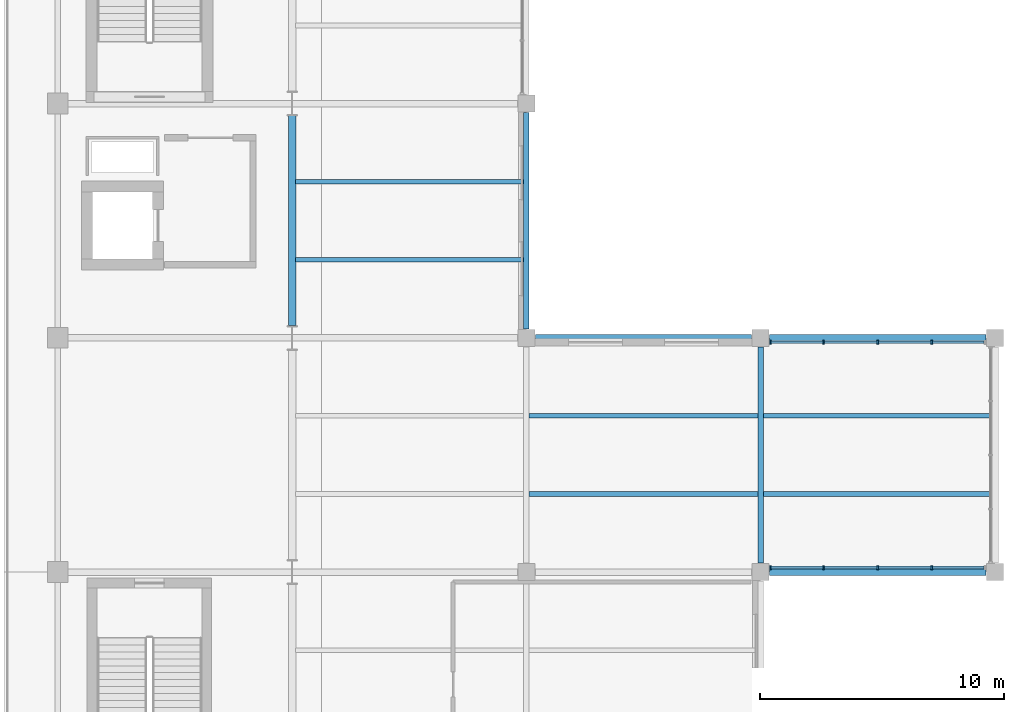
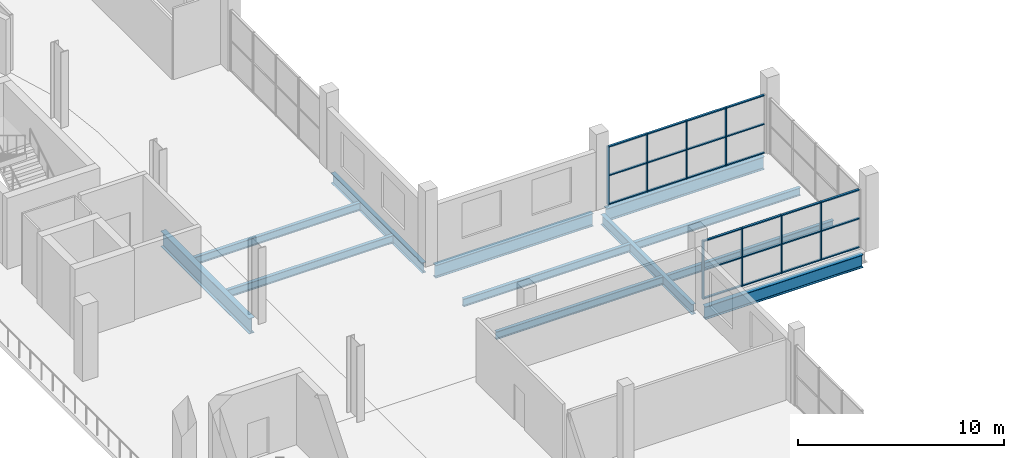
# One storey, part 31 of 92: 32 members, 12 beams, 2 elements without a shape of their own.
"""IFC4 building model written with IfcOpenShell, lengths in metres."""

import ifcopenshell
import ifcopenshell.guid

model = None  # the IFC model being written
_history = None  # IfcOwnerHistory: only IFC2X3 demands one
_inside = {}  # id of a spatial element -> (the spatial element, [elements in it])
_under = {}  # id of a project, library or spatial element -> (it, [spatial elements below it])
_declared = {}  # id of a project -> (the project, [libraries it declares])
_typed = {}  # id of a type object -> (the type object, [elements of that type])
_made_of = {}  # id of a material, layer set ... -> (it, [elements and type objects made of it])


def new_model(schema):
    """Start an empty IFC model of exactly this schema.

    Asked for "IFC4X3", IfcOpenShell would pick the latest addendum, in which some entities
    have other attributes; the version numbers below select the first issue.
    IFC2X3 requires an IfcOwnerHistory on every rooted entity: one is made here for all.
    """
    global model, _history
    if schema == "IFC4X3":
        model = ifcopenshell.file(schema_version=(4, 3, 0, 0))
    else:
        model = ifcopenshell.file(schema=schema)
    _inside.clear()
    _under.clear()
    _declared.clear()
    _typed.clear()
    _made_of.clear()
    _history = None
    if model.schema == "IFC2X3":
        org = make("IfcOrganization", Name="unknown")
        user = make(
            "IfcPersonAndOrganization",
            ThePerson=make("IfcPerson", FamilyName="unknown"),
            TheOrganization=org,
        )
        app = make(
            "IfcApplication",
            ApplicationDeveloper=org,
            Version="unknown",
            ApplicationFullName="unknown",
            ApplicationIdentifier="unknown",
        )
        _history = make(
            "IfcOwnerHistory",
            OwningUser=user,
            OwningApplication=app,
            ChangeAction="ADDED",
            CreationDate=0,
        )
    return model


def make(cls, **values):
    """One entity of the class cls with the attributes given. An attribute that is None is left unset."""
    return model.create_entity(
        cls, **{name: value for name, value in values.items() if value is not None}
    )


def rooted(cls, **values):
    """An entity with a GlobalId (a new one), such as an element, a storey or a relation."""
    return make(cls, GlobalId=ifcopenshell.guid.new(), OwnerHistory=_history, **values)


def si_unit(unit_type, name, prefix=None):
    """IfcSIUnit, for example si_unit("LENGTHUNIT", "METRE", prefix="MILLI")."""
    return make("IfcSIUnit", UnitType=unit_type, Prefix=prefix, Name=name)


def assignment(units):
    """IfcUnitAssignment: the units of a project."""
    return None if units is None else make("IfcUnitAssignment", Units=units)


def point(xyz):
    """IfcCartesianPoint."""
    return None if xyz is None else make("IfcCartesianPoint", Coordinates=xyz)


def direction(xyz):
    """IfcDirection."""
    return None if xyz is None else make("IfcDirection", DirectionRatios=xyz)


def frame(location, z_axis=None, x_axis=None):
    """IfcAxis2Placement3D, a coordinate frame: its origin and axes. An axis left out is left unset."""
    return make(
        "IfcAxis2Placement3D",
        Location=point(location),
        Axis=direction(z_axis),
        RefDirection=direction(x_axis),
    )


def frame_2d(location, x_axis=None):
    """IfcAxis2Placement2D, a coordinate frame in the plane: its origin and x axis."""
    return make(
        "IfcAxis2Placement2D", Location=point(location), RefDirection=direction(x_axis)
    )


def origin():
    """The frame at (0, 0, 0) with its axes left unset."""
    return frame((0.0, 0.0, 0.0))


def origin_2d():
    """The frame at (0, 0) in the plane with its x axis left unset."""
    return frame_2d((0.0, 0.0))


def place(relative_to, where):
    """IfcLocalPlacement: puts the frame where relative to a parent placement (None: the world)."""
    return make(
        "IfcLocalPlacement", PlacementRelTo=relative_to, RelativePlacement=where
    )


def context(
    kind, dimensions, precision=None, world=None, true_north=None, identifier=None
):
    """IfcGeometricRepresentationContext, for example the 3D "Model" context."""
    return make(
        "IfcGeometricRepresentationContext",
        ContextIdentifier=identifier,
        ContextType=kind,
        CoordinateSpaceDimension=dimensions,
        Precision=precision,
        WorldCoordinateSystem=world,
        TrueNorth=true_north,
    )


def subcontext(parent, identifier, kind, view, scale=None):
    """IfcGeometricRepresentationSubContext, for example "Body" below "Model"."""
    return make(
        "IfcGeometricRepresentationSubContext",
        ContextIdentifier=identifier,
        ContextType=kind,
        ParentContext=parent,
        TargetScale=scale,
        TargetView=view,
    )


def project(units=None, contexts=None):
    """IfcProject with its units and contexts."""
    return rooted(
        "IfcProject",
        Name="project",
        RepresentationContexts=contexts,
        UnitsInContext=assignment(units),
    )


def spatial(cls, under=None, at=None, **own):
    """A site, building, storey or space (cls), placed at a placement, below another one or the project."""
    s = rooted(cls, ObjectPlacement=at, **own)
    if under is not None:
        _under.setdefault(under.id(), (under, []))[1].append(s)
    return s


def profile(cls, at=None, kind="AREA", **sizes):
    """A parametric profile (cls). Its sizes go by their IFC names, for example OverallWidth=200.0."""
    return make(cls, ProfileType=kind, Position=at, **sizes)


def rectangle(**sizes):
    """IfcRectangleProfileDef."""
    return profile("IfcRectangleProfileDef", **sizes)


def i_section(**sizes):
    """IfcIShapeProfileDef."""
    return profile("IfcIShapeProfileDef", **sizes)


def extrude(swept, where, along, depth):
    """IfcExtrudedAreaSolid: the profile swept, set in the frame where, extruded along a direction by depth."""
    return make(
        "IfcExtrudedAreaSolid",
        SweptArea=swept,
        Position=where,
        ExtrudedDirection=direction(along),
        Depth=depth,
    )


def shape(context_of_items, identifier, shape_type, items):
    """IfcShapeRepresentation: the items that make up one representation, for example the "Body"."""
    return make(
        "IfcShapeRepresentation",
        ContextOfItems=context_of_items,
        RepresentationIdentifier=identifier,
        RepresentationType=shape_type,
        Items=items,
    )


def material(Name=None, Category=None):
    """IfcMaterial."""
    return make("IfcMaterial", Name=Name, Category=Category)


def layer(
    of_material, thickness, ventilated=None, Name=None, Category=None, Priority=None
):
    """IfcMaterialLayer: one layer of a wall or slab, of a material (None: an air gap)."""
    return make(
        "IfcMaterialLayer",
        Material=of_material,
        LayerThickness=thickness,
        IsVentilated=ventilated,
        Name=Name,
        Category=Category,
        Priority=Priority,
    )


def layer_set(layers, Name=None):
    """IfcMaterialLayerSet."""
    return make("IfcMaterialLayerSet", MaterialLayers=layers, LayerSetName=Name)


def material_profile(
    of_material, cross_section, Name=None, Category=None, Priority=None
):
    """IfcMaterialProfile: a cross section and its material."""
    return make(
        "IfcMaterialProfile",
        Name=Name,
        Material=of_material,
        Profile=cross_section,
        Priority=Priority,
        Category=Category,
    )


def profile_set(profiles, Name=None, composite=None):
    """IfcMaterialProfileSet."""
    return make(
        "IfcMaterialProfileSet",
        Name=Name,
        MaterialProfiles=profiles,
        CompositeProfile=composite,
    )


def made_of(thing, what):
    """Note that an element or type object is made of a material, layer set ...; save() writes the relation."""
    if what is not None:
        _made_of.setdefault(what.id(), (what, []))[1].append(thing)
    return thing


def type_object(cls, material=None, **own):
    """A type object (cls), such as IfcWallType, which elements share."""
    return made_of(rooted(cls, **own), material)


def element(
    cls,
    number,
    at=None,
    inside=None,
    cuts=None,
    type_object=None,
    material=None,
    context=None,
    identifier="Body",
    shape_type=None,
    held_by="IfcProductDefinitionShape",
    body=None,
    shapes=None,
    **own,
):
    """One element of the class cls, such as IfcWall. Its Tag is "e" and its number.

    at: its placement. inside: the storey or other place that contains it. cuts: it is an
    opening in that element (IfcRelVoidsElement). A single representation is given by context,
    identifier, shape_type and body (its items); several are given by shapes. held_by: the class
    of the entity that holds the representations. save() writes the other relations.
    """
    e = rooted(cls, Tag="e%d" % number, ObjectPlacement=at, **own)
    if body is not None:
        shapes = [shape(context, identifier, shape_type, body)]
    if shapes is not None:
        e.Representation = make(held_by, Representations=shapes)
    if inside is not None:
        _inside.setdefault(inside.id(), (inside, []))[1].append(e)
    if cuts is not None:
        rooted(
            "IfcRelVoidsElement", RelatingBuildingElement=cuts, RelatedOpeningElement=e
        )
    if type_object is not None:
        _typed.setdefault(type_object.id(), (type_object, []))[1].append(e)
    return made_of(e, material)


def aggregate(whole, parts):
    """IfcRelAggregates: a whole, such as a stair, and the parts it consists of."""
    return rooted("IfcRelAggregates", RelatingObject=whole, RelatedObjects=parts)


def save(model, path):
    """Write the relations noted so far, then the file.

    IfcRelAggregates (storeys below a building ...), IfcRelContainedInSpatialStructure (elements
    in a storey), IfcRelDefinesByType, IfcRelAssociatesMaterial and IfcRelDeclares: one each for
    every whole, place, type object, material and project.
    """
    for whole, parts in _under.values():
        aggregate(whole, parts)
    for where, things in _inside.values():
        rooted(
            "IfcRelContainedInSpatialStructure",
            RelatedElements=things,
            RelatingStructure=where,
        )
    for kind, things in _typed.values():
        rooted("IfcRelDefinesByType", RelatedObjects=things, RelatingType=kind)
    for what, things in _made_of.values():
        rooted("IfcRelAssociatesMaterial", RelatedObjects=things, RelatingMaterial=what)
    for by, libraries in _declared.values():
        rooted("IfcRelDeclares", RelatingContext=by, RelatedDefinitions=libraries)
    model.write(path)


model = new_model("IFC4")

# Units and contexts
model_context = context("Model", 3, precision=1e-05, world=origin(), true_north=direction((0.0, 1.0)))
body_context = subcontext(model_context, "Body", "Model", "MODEL_VIEW")
ifc_project = project(units=[si_unit("LENGTHUNIT", "METRE"), si_unit("AREAUNIT", "SQUARE_METRE"), si_unit("VOLUMEUNIT", "CUBIC_METRE"), si_unit("PLANEANGLEUNIT", "RADIAN"), si_unit("MASSUNIT", "GRAM", prefix="KILO")], contexts=[model_context])

# Site, building, storey
site_placement = place(None, origin())
site = spatial("IfcSite", under=ifc_project, at=site_placement, CompositionType="ELEMENT")
building_placement = place(site_placement, origin())
building = spatial("IfcBuilding", under=site, at=building_placement, Name="Caelomonte Colonnade Arena", CompositionType="ELEMENT")
storey_placement = place(building_placement, frame((0.0, 0.0, 9.60009765625)))
storey = spatial("IfcBuildingStorey", under=building, at=storey_placement, Name="L02", CompositionType="ELEMENT", Elevation=9.60009765625)

# Curtain wall, members
ifc_material_1 = material(Name="Bronze anodised aluminium and low-E glazing", Category="aluminium")
ifc_layer = layer(ifc_material_1, 0.179931640625)
ifc_layer_set = layer_set([ifc_layer], Name="Bronze anodised aluminium and low-E glazing")
curtain_wall_type = type_object("IfcCurtainWallType", Name="ENV-CW-CW-L02-96-35", PredefinedType="USERDEFINED", material=ifc_layer_set)
curtain_wall_1_placement = place(storey_placement, origin())
curtain_wall_1 = element("IfcCurtainWall", 1, at=curtain_wall_1_placement, inside=storey, type_object=curtain_wall_type, Name="L02 unitized curtain wall CW-L02-1872-0674", ObjectType="UNITIZED CURTAIN WALL", PredefinedType="USERDEFINED")
ifc_material_2 = material(Name="Bronze anodised aluminium AA6063-T6", Category="aluminium")
ifc_material_profile_1 = material_profile(ifc_material_2, rectangle(XDim=0.06494140625, YDim=0.14990234375, at=origin_2d()), Name="CWM-65X150")
ifc_profile_set_1 = profile_set([ifc_material_profile_1], Name="Bronze anodised aluminium AA6063-T6")
member_type_1 = type_object("IfcMemberType", Name="ENV-CW-MULL2", PredefinedType="MULLION", material=ifc_profile_set_1)
member_1_placement = place(storey_placement, frame((182.802490234375, 67.3798828125, 0.0), z_axis=(0.0, 0.0, 1.0), x_axis=(1.0, 0.0, 0.0)))
member_1 = element("IfcMember", 2, at=member_1_placement, type_object=member_type_1, Name="CW-L02-96-35 mullion 1", PredefinedType="MULLION", context=body_context, shape_type="SweptSolid", body=[
    extrude(rectangle(XDim=0.06494140625, YDim=0.14990234375, at=origin_2d()), origin(), (0.0, 0.0, 1.0), 3.465576171875),
])
member_2_placement = place(storey_placement, frame((184.985107421875, 67.3798828125, 0.0), z_axis=(0.0, 0.0, 1.0), x_axis=(1.0, 0.0, 0.0)))
member_2 = element("IfcMember", 3, at=member_2_placement, type_object=member_type_1, Name="CW-L02-96-35 mullion 2", PredefinedType="MULLION", context=body_context, shape_type="SweptSolid", body=[
    extrude(rectangle(XDim=0.06494140625, YDim=0.14990234375, at=origin_2d()), origin(), (0.0, 0.0, 1.0), 3.465576171875),
])
member_3_placement = place(storey_placement, frame((187.199951171875, 67.3798828125, 0.0), z_axis=(0.0, 0.0, 1.0), x_axis=(1.0, 0.0, 0.0)))
member_3 = element("IfcMember", 4, at=member_3_placement, type_object=member_type_1, Name="CW-L02-96-35 mullion 3", PredefinedType="MULLION", context=body_context, shape_type="SweptSolid", body=[
    extrude(rectangle(XDim=0.06494140625, YDim=0.14990234375, at=origin_2d()), origin(), (0.0, 0.0, 1.0), 3.465576171875),
])
member_4_placement = place(storey_placement, frame((189.4150390625, 67.3798828125, 0.0), z_axis=(0.0, 0.0, 1.0), x_axis=(1.0, 0.0, 0.0)))
member_4 = element("IfcMember", 5, at=member_4_placement, type_object=member_type_1, Name="CW-L02-96-35 mullion 4", PredefinedType="MULLION", context=body_context, shape_type="SweptSolid", body=[
    extrude(rectangle(XDim=0.06494140625, YDim=0.14990234375, at=origin_2d()), origin(), (0.0, 0.0, 1.0), 3.465576171875),
])

curtain_wall_2_placement = place(storey_placement, origin())
curtain_wall_2 = element("IfcCurtainWall", 6, at=curtain_wall_2_placement, inside=storey, type_object=curtain_wall_type, Name="L02 unitized curtain wall CW-L02-1872-0766", ObjectType="UNITIZED CURTAIN WALL", PredefinedType="USERDEFINED")
member_5_placement = place(storey_placement, frame((189.4150390625, 76.6201171875, 0.0), z_axis=(0.0, 0.0, 1.0), x_axis=(-1.0, 0.0, 0.0)))
member_5 = element("IfcMember", 7, at=member_5_placement, type_object=member_type_1, Name="CW-L02-96-35 mullion 2", PredefinedType="MULLION", context=body_context, shape_type="SweptSolid", body=[
    extrude(rectangle(XDim=0.06494140625, YDim=0.14990234375, at=origin_2d()), origin(), (0.0, 0.0, 1.0), 3.465576171875),
])
member_6_placement = place(storey_placement, frame((187.199951171875, 76.6201171875, 0.0), z_axis=(0.0, 0.0, 1.0), x_axis=(-1.0, 0.0, 0.0)))
member_6 = element("IfcMember", 8, at=member_6_placement, type_object=member_type_1, Name="CW-L02-96-35 mullion 3", PredefinedType="MULLION", context=body_context, shape_type="SweptSolid", body=[
    extrude(rectangle(XDim=0.06494140625, YDim=0.14990234375, at=origin_2d()), origin(), (0.0, 0.0, 1.0), 3.465576171875),
])
member_7_placement = place(storey_placement, frame((184.985107421875, 76.6201171875, 0.0), z_axis=(0.0, 0.0, 1.0), x_axis=(-1.0, 0.0, 0.0)))
member_7 = element("IfcMember", 9, at=member_7_placement, type_object=member_type_1, Name="CW-L02-96-35 mullion 4", PredefinedType="MULLION", context=body_context, shape_type="SweptSolid", body=[
    extrude(rectangle(XDim=0.06494140625, YDim=0.14990234375, at=origin_2d()), origin(), (0.0, 0.0, 1.0), 3.465576171875),
])
member_8_placement = place(storey_placement, frame((182.802490234375, 76.6201171875, 0.0), z_axis=(0.0, 0.0, 1.0), x_axis=(-1.0, 0.0, 0.0)))
member_8 = element("IfcMember", 10, at=member_8_placement, type_object=member_type_1, Name="CW-L02-96-35 mullion 5", PredefinedType="MULLION", context=body_context, shape_type="SweptSolid", body=[
    extrude(rectangle(XDim=0.06494140625, YDim=0.14990234375, at=origin_2d()), origin(), (0.0, 0.0, 1.0), 3.465576171875),
])

# Member
ifc_material_profile_2 = material_profile(ifc_material_2, rectangle(XDim=0.06494140625, YDim=0.1201171875, at=origin_2d()), Name="CWT-65X120")
ifc_profile_set_2 = profile_set([ifc_material_profile_2], Name="Bronze anodised aluminium AA6063-T6")
member_type_2 = type_object("IfcMemberType", Name="ENV-CW-TRAN2", PredefinedType="USERDEFINED", material=ifc_profile_set_2)
member_9_placement = place(storey_placement, frame((182.8349609375, 67.3798828125, 0.032470703125), z_axis=(1.0, 0.0, 0.0), x_axis=(0.0, 0.0, 1.0)))
member_9 = element("IfcMember", 11, at=member_9_placement, type_object=member_type_2, Name="CW-L02-96-35 transom 1.1", ObjectType="TRANSOM", PredefinedType="USERDEFINED", context=body_context, shape_type="SweptSolid", body=[
    extrude(rectangle(XDim=0.06494140625, YDim=0.1201171875, at=origin_2d()), origin(), (0.0, 0.0, 1.0), 2.117431640625),
])

member_10_placement = place(storey_placement, frame((182.8349609375, 67.3798828125, 1.732666015625), z_axis=(1.0, 0.0, 0.0), x_axis=(0.0, 0.0, 1.0)))
member_10 = element("IfcMember", 12, at=member_10_placement, type_object=member_type_2, Name="CW-L02-96-35 transom 1.2", ObjectType="TRANSOM", PredefinedType="USERDEFINED", context=body_context, shape_type="SweptSolid", body=[
    extrude(rectangle(XDim=0.06494140625, YDim=0.1201171875, at=origin_2d()), origin(), (0.0, 0.0, 1.0), 2.117431640625),
])

member_11_placement = place(storey_placement, frame((182.8349609375, 67.3798828125, 3.43310546875), z_axis=(1.0, 0.0, 0.0), x_axis=(0.0, 0.0, 1.0)))
member_11 = element("IfcMember", 13, at=member_11_placement, type_object=member_type_2, Name="CW-L02-96-35 transom 1.3", ObjectType="TRANSOM", PredefinedType="USERDEFINED", context=body_context, shape_type="SweptSolid", body=[
    extrude(rectangle(XDim=0.06494140625, YDim=0.1201171875, at=origin_2d()), origin(), (0.0, 0.0, 1.0), 2.117431640625),
])

member_12_placement = place(storey_placement, frame((185.017578125, 67.3798828125, 0.032470703125), z_axis=(1.0, 0.0, 0.0), x_axis=(0.0, 0.0, 1.0)))
member_12 = element("IfcMember", 14, at=member_12_placement, type_object=member_type_2, Name="CW-L02-96-35 transom 2.1", ObjectType="TRANSOM", PredefinedType="USERDEFINED", context=body_context, shape_type="SweptSolid", body=[
    extrude(rectangle(XDim=0.06494140625, YDim=0.1201171875, at=origin_2d()), origin(), (0.0, 0.0, 1.0), 2.14990234375),
])

member_13_placement = place(storey_placement, frame((185.017578125, 67.3798828125, 1.732666015625), z_axis=(1.0, 0.0, 0.0), x_axis=(0.0, 0.0, 1.0)))
member_13 = element("IfcMember", 15, at=member_13_placement, type_object=member_type_2, Name="CW-L02-96-35 transom 2.2", ObjectType="TRANSOM", PredefinedType="USERDEFINED", context=body_context, shape_type="SweptSolid", body=[
    extrude(rectangle(XDim=0.06494140625, YDim=0.1201171875, at=origin_2d()), origin(), (0.0, 0.0, 1.0), 2.14990234375),
])

member_14_placement = place(storey_placement, frame((185.017578125, 67.3798828125, 3.43310546875), z_axis=(1.0, 0.0, 0.0), x_axis=(0.0, 0.0, 1.0)))
member_14 = element("IfcMember", 16, at=member_14_placement, type_object=member_type_2, Name="CW-L02-96-35 transom 2.3", ObjectType="TRANSOM", PredefinedType="USERDEFINED", context=body_context, shape_type="SweptSolid", body=[
    extrude(rectangle(XDim=0.06494140625, YDim=0.1201171875, at=origin_2d()), origin(), (0.0, 0.0, 1.0), 2.14990234375),
])

member_15_placement = place(storey_placement, frame((187.232421875, 67.3798828125, 0.032470703125), z_axis=(1.0, 0.0, 0.0), x_axis=(0.0, 0.0, 1.0)))
member_15 = element("IfcMember", 17, at=member_15_placement, type_object=member_type_2, Name="CW-L02-96-35 transom 3.1", ObjectType="TRANSOM", PredefinedType="USERDEFINED", context=body_context, shape_type="SweptSolid", body=[
    extrude(rectangle(XDim=0.06494140625, YDim=0.1201171875, at=origin_2d()), origin(), (0.0, 0.0, 1.0), 2.150146484375),
])

member_16_placement = place(storey_placement, frame((187.232421875, 67.3798828125, 1.732666015625), z_axis=(1.0, 0.0, 0.0), x_axis=(0.0, 0.0, 1.0)))
member_16 = element("IfcMember", 18, at=member_16_placement, type_object=member_type_2, Name="CW-L02-96-35 transom 3.2", ObjectType="TRANSOM", PredefinedType="USERDEFINED", context=body_context, shape_type="SweptSolid", body=[
    extrude(rectangle(XDim=0.06494140625, YDim=0.1201171875, at=origin_2d()), origin(), (0.0, 0.0, 1.0), 2.150146484375),
])

member_17_placement = place(storey_placement, frame((187.232421875, 67.3798828125, 3.43310546875), z_axis=(1.0, 0.0, 0.0), x_axis=(0.0, 0.0, 1.0)))
member_17 = element("IfcMember", 19, at=member_17_placement, type_object=member_type_2, Name="CW-L02-96-35 transom 3.3", ObjectType="TRANSOM", PredefinedType="USERDEFINED", context=body_context, shape_type="SweptSolid", body=[
    extrude(rectangle(XDim=0.06494140625, YDim=0.1201171875, at=origin_2d()), origin(), (0.0, 0.0, 1.0), 2.150146484375),
])

member_18_placement = place(storey_placement, frame((189.447509765625, 67.3798828125, 0.032470703125), z_axis=(1.0, 0.0, 0.0), x_axis=(0.0, 0.0, 1.0)))
member_18 = element("IfcMember", 20, at=member_18_placement, type_object=member_type_2, Name="CW-L02-96-35 transom 4.1", ObjectType="TRANSOM", PredefinedType="USERDEFINED", context=body_context, shape_type="SweptSolid", body=[
    extrude(rectangle(XDim=0.06494140625, YDim=0.1201171875, at=origin_2d()), origin(), (0.0, 0.0, 1.0), 2.117431640625),
])

member_19_placement = place(storey_placement, frame((189.447509765625, 67.3798828125, 1.732666015625), z_axis=(1.0, 0.0, 0.0), x_axis=(0.0, 0.0, 1.0)))
member_19 = element("IfcMember", 21, at=member_19_placement, type_object=member_type_2, Name="CW-L02-96-35 transom 4.2", ObjectType="TRANSOM", PredefinedType="USERDEFINED", context=body_context, shape_type="SweptSolid", body=[
    extrude(rectangle(XDim=0.06494140625, YDim=0.1201171875, at=origin_2d()), origin(), (0.0, 0.0, 1.0), 2.117431640625),
])

member_20_placement = place(storey_placement, frame((189.447509765625, 67.3798828125, 3.43310546875), z_axis=(1.0, 0.0, 0.0), x_axis=(0.0, 0.0, 1.0)))
member_20 = element("IfcMember", 22, at=member_20_placement, type_object=member_type_2, Name="CW-L02-96-35 transom 4.3", ObjectType="TRANSOM", PredefinedType="USERDEFINED", context=body_context, shape_type="SweptSolid", body=[
    extrude(rectangle(XDim=0.06494140625, YDim=0.1201171875, at=origin_2d()), origin(), (0.0, 0.0, 1.0), 2.117431640625),
])

aggregate(curtain_wall_1, [member_1, member_2, member_3, member_4, member_9, member_10, member_11, member_12, member_13, member_14, member_15, member_16, member_17, member_18, member_19, member_20])

member_21_placement = place(storey_placement, frame((191.56494140625, 76.6201171875, 0.032470703125), z_axis=(-1.0, 0.0, 0.0), x_axis=(0.0, 0.0, 1.0)))
member_21 = element("IfcMember", 23, at=member_21_placement, type_object=member_type_2, Name="CW-L02-96-35 transom 1.1", ObjectType="TRANSOM", PredefinedType="USERDEFINED", context=body_context, shape_type="SweptSolid", body=[
    extrude(rectangle(XDim=0.06494140625, YDim=0.1201171875, at=origin_2d()), origin(), (0.0, 0.0, 1.0), 2.117431640625),
])

member_22_placement = place(storey_placement, frame((191.56494140625, 76.6201171875, 1.732666015625), z_axis=(-1.0, 0.0, 0.0), x_axis=(0.0, 0.0, 1.0)))
member_22 = element("IfcMember", 24, at=member_22_placement, type_object=member_type_2, Name="CW-L02-96-35 transom 1.2", ObjectType="TRANSOM", PredefinedType="USERDEFINED", context=body_context, shape_type="SweptSolid", body=[
    extrude(rectangle(XDim=0.06494140625, YDim=0.1201171875, at=origin_2d()), origin(), (0.0, 0.0, 1.0), 2.117431640625),
])

member_23_placement = place(storey_placement, frame((191.56494140625, 76.6201171875, 3.43310546875), z_axis=(-1.0, 0.0, 0.0), x_axis=(0.0, 0.0, 1.0)))
member_23 = element("IfcMember", 25, at=member_23_placement, type_object=member_type_2, Name="CW-L02-96-35 transom 1.3", ObjectType="TRANSOM", PredefinedType="USERDEFINED", context=body_context, shape_type="SweptSolid", body=[
    extrude(rectangle(XDim=0.06494140625, YDim=0.1201171875, at=origin_2d()), origin(), (0.0, 0.0, 1.0), 2.117431640625),
])

member_24_placement = place(storey_placement, frame((189.382568359375, 76.6201171875, 0.032470703125), z_axis=(-1.0, 0.0, 0.0), x_axis=(0.0, 0.0, 1.0)))
member_24 = element("IfcMember", 26, at=member_24_placement, type_object=member_type_2, Name="CW-L02-96-35 transom 2.1", ObjectType="TRANSOM", PredefinedType="USERDEFINED", context=body_context, shape_type="SweptSolid", body=[
    extrude(rectangle(XDim=0.06494140625, YDim=0.1201171875, at=origin_2d()), origin(), (0.0, 0.0, 1.0), 2.150146484375),
])

member_25_placement = place(storey_placement, frame((189.382568359375, 76.6201171875, 1.732666015625), z_axis=(-1.0, 0.0, 0.0), x_axis=(0.0, 0.0, 1.0)))
member_25 = element("IfcMember", 27, at=member_25_placement, type_object=member_type_2, Name="CW-L02-96-35 transom 2.2", ObjectType="TRANSOM", PredefinedType="USERDEFINED", context=body_context, shape_type="SweptSolid", body=[
    extrude(rectangle(XDim=0.06494140625, YDim=0.1201171875, at=origin_2d()), origin(), (0.0, 0.0, 1.0), 2.150146484375),
])

member_26_placement = place(storey_placement, frame((189.382568359375, 76.6201171875, 3.43310546875), z_axis=(-1.0, 0.0, 0.0), x_axis=(0.0, 0.0, 1.0)))
member_26 = element("IfcMember", 28, at=member_26_placement, type_object=member_type_2, Name="CW-L02-96-35 transom 2.3", ObjectType="TRANSOM", PredefinedType="USERDEFINED", context=body_context, shape_type="SweptSolid", body=[
    extrude(rectangle(XDim=0.06494140625, YDim=0.1201171875, at=origin_2d()), origin(), (0.0, 0.0, 1.0), 2.150146484375),
])

member_27_placement = place(storey_placement, frame((187.16748046875, 76.6201171875, 0.032470703125), z_axis=(-1.0, 0.0, 0.0), x_axis=(0.0, 0.0, 1.0)))
member_27 = element("IfcMember", 29, at=member_27_placement, type_object=member_type_2, Name="CW-L02-96-35 transom 3.1", ObjectType="TRANSOM", PredefinedType="USERDEFINED", context=body_context, shape_type="SweptSolid", body=[
    extrude(rectangle(XDim=0.06494140625, YDim=0.1201171875, at=origin_2d()), origin(), (0.0, 0.0, 1.0), 2.14990234375),
])

member_28_placement = place(storey_placement, frame((187.16748046875, 76.6201171875, 1.732666015625), z_axis=(-1.0, 0.0, 0.0), x_axis=(0.0, 0.0, 1.0)))
member_28 = element("IfcMember", 30, at=member_28_placement, type_object=member_type_2, Name="CW-L02-96-35 transom 3.2", ObjectType="TRANSOM", PredefinedType="USERDEFINED", context=body_context, shape_type="SweptSolid", body=[
    extrude(rectangle(XDim=0.06494140625, YDim=0.1201171875, at=origin_2d()), origin(), (0.0, 0.0, 1.0), 2.14990234375),
])

member_29_placement = place(storey_placement, frame((187.16748046875, 76.6201171875, 3.43310546875), z_axis=(-1.0, 0.0, 0.0), x_axis=(0.0, 0.0, 1.0)))
member_29 = element("IfcMember", 31, at=member_29_placement, type_object=member_type_2, Name="CW-L02-96-35 transom 3.3", ObjectType="TRANSOM", PredefinedType="USERDEFINED", context=body_context, shape_type="SweptSolid", body=[
    extrude(rectangle(XDim=0.06494140625, YDim=0.1201171875, at=origin_2d()), origin(), (0.0, 0.0, 1.0), 2.14990234375),
])

member_30_placement = place(storey_placement, frame((184.952392578125, 76.6201171875, 0.032470703125), z_axis=(-1.0, 0.0, 0.0), x_axis=(0.0, 0.0, 1.0)))
member_30 = element("IfcMember", 32, at=member_30_placement, type_object=member_type_2, Name="CW-L02-96-35 transom 4.1", ObjectType="TRANSOM", PredefinedType="USERDEFINED", context=body_context, shape_type="SweptSolid", body=[
    extrude(rectangle(XDim=0.06494140625, YDim=0.1201171875, at=origin_2d()), origin(), (0.0, 0.0, 1.0), 2.117431640625),
])

member_31_placement = place(storey_placement, frame((184.952392578125, 76.6201171875, 1.732666015625), z_axis=(-1.0, 0.0, 0.0), x_axis=(0.0, 0.0, 1.0)))
member_31 = element("IfcMember", 33, at=member_31_placement, type_object=member_type_2, Name="CW-L02-96-35 transom 4.2", ObjectType="TRANSOM", PredefinedType="USERDEFINED", context=body_context, shape_type="SweptSolid", body=[
    extrude(rectangle(XDim=0.06494140625, YDim=0.1201171875, at=origin_2d()), origin(), (0.0, 0.0, 1.0), 2.117431640625),
])

member_32_placement = place(storey_placement, frame((184.952392578125, 76.6201171875, 3.43310546875), z_axis=(-1.0, 0.0, 0.0), x_axis=(0.0, 0.0, 1.0)))
member_32 = element("IfcMember", 34, at=member_32_placement, type_object=member_type_2, Name="CW-L02-96-35 transom 4.3", ObjectType="TRANSOM", PredefinedType="USERDEFINED", context=body_context, shape_type="SweptSolid", body=[
    extrude(rectangle(XDim=0.06494140625, YDim=0.1201171875, at=origin_2d()), origin(), (0.0, 0.0, 1.0), 2.117431640625),
])

aggregate(curtain_wall_2, [member_5, member_6, member_7, member_8, member_21, member_22, member_23, member_24, member_25, member_26, member_27, member_28, member_29, member_30, member_31, member_32])

# Beams
ifc_material_3 = material(Name="Wide-flange steel ASTM A992 Grade 50", Category="steel")
ifc_material_profile_3 = material_profile(ifc_material_3, i_section(OverallWidth=0.307861328125, OverallDepth=0.927001953125, WebThickness=0.019287109375, FlangeThickness=0.031982421875, FilletRadius=0.020263671875, at=origin_2d()), Name="W36X194")
ifc_profile_set_3 = profile_set([ifc_material_profile_3], Name="Wide-flange steel ASTM A992 Grade 50")
beam_type_1 = type_object("IfcBeamType", Name="STR-BM-EAVES2", PredefinedType="SPANDREL", material=ifc_profile_set_3)
beam_1_placement = place(storey_placement, frame((163.199951171875, 77.29736328125, -0.74365234375), z_axis=(0.0, 1.0, 0.0), x_axis=(-1.0, 0.0, 0.0)))
element("IfcBeam", 35, at=beam_1_placement, inside=storey, type_object=beam_type_1, Name="L02 girder BMY-L02-1632-0768", PredefinedType="SPANDREL", context=body_context, shape_type="SweptSolid", body=[
    extrude(i_section(OverallWidth=0.307861328125, OverallDepth=0.927001953125, WebThickness=0.019287109375, FlangeThickness=0.031982421875, FilletRadius=0.020263671875, at=origin_2d()), origin(), (0.0, 0.0, 1.0), 8.605224609375),
])
ifc_material_profile_4 = material_profile(ifc_material_3, i_section(OverallWidth=0.228271484375, OverallDepth=0.607177734375, WebThickness=0.01123046875, FlangeThickness=0.017333984375, FilletRadius=0.0126953125, at=origin_2d()), Name="W24X76")
ifc_profile_set_4 = profile_set([ifc_material_profile_4], Name="Wide-flange steel ASTM A992 Grade 50")
beam_type_2 = type_object("IfcBeamType", Name="STR-BM-GIRD24", PredefinedType="BEAM", material=ifc_profile_set_4)
beam_2_placement = place(storey_placement, frame((172.800048828125, 77.1669921875, -0.58349609375), z_axis=(0.0, 1.0, 0.0), x_axis=(-1.0, 0.0, 0.0)))
element("IfcBeam", 36, at=beam_2_placement, inside=storey, type_object=beam_type_2, Name="L02 girder BMY-L02-1728-0768", PredefinedType="BEAM", context=body_context, shape_type="SweptSolid", body=[
    extrude(i_section(OverallWidth=0.228271484375, OverallDepth=0.607177734375, WebThickness=0.01123046875, FlangeThickness=0.017333984375, FilletRadius=0.0126953125, at=origin_2d()), origin(), (0.0, 0.0, 1.0), 8.865966796875),
])
beam_3_placement = place(storey_placement, frame((182.39990234375, 67.56689453125, -0.58349609375), z_axis=(0.0, 1.0, 0.0), x_axis=(-1.0, 0.0, 0.0)))
element("IfcBeam", 37, at=beam_3_placement, inside=storey, type_object=beam_type_2, Name="L02 girder BMY-L02-1824-0672", PredefinedType="BEAM", context=body_context, shape_type="SweptSolid", body=[
    extrude(i_section(OverallWidth=0.228271484375, OverallDepth=0.607177734375, WebThickness=0.01123046875, FlangeThickness=0.017333984375, FilletRadius=0.0126953125, at=origin_2d()), origin(), (0.0, 0.0, 1.0), 8.8662109375),
])
ifc_material_profile_5 = material_profile(ifc_material_3, i_section(OverallWidth=0.2666015625, OverallDepth=0.761962890625, WebThickness=0.014404296875, FlangeThickness=0.021484375, FilletRadius=0.0166015625, at=origin_2d()), Name="W30X116")
ifc_profile_set_5 = profile_set([ifc_material_profile_5], Name="Wide-flange steel ASTM A992 Grade 50")
beam_type_3 = type_object("IfcBeamType", Name="STR-BM-GIRD30", PredefinedType="BEAM", material=ifc_profile_set_5)
for number, where, z_axis, x_axis, name in (
    (38, (182.76708984375, 67.199951171875, -0.6611328125), (1.0, 0.0, 0.0), (0.0, 1.0, 0.0), "L02 girder BMX-L02-1824-0672"),
    (39, (173.1669921875, 76.800048828125, -0.6611328125), (1.0, 0.0, 0.0), (0.0, 1.0, 0.0), "L02 girder BMX-L02-1728-0768"),
    (40, (182.76708984375, 76.800048828125, -0.6611328125), (1.0, 0.0, 0.0), (0.0, 1.0, 0.0), "L02 girder BMX-L02-1824-0768"),
):
    element("IfcBeam", number, at=place(storey_placement, frame(where, z_axis=z_axis, x_axis=x_axis)), inside=storey, type_object=beam_type_3, Name=name, PredefinedType="BEAM", context=body_context, shape_type="SweptSolid", body=[
        extrude(i_section(OverallWidth=0.2666015625, OverallDepth=0.761962890625, WebThickness=0.014404296875, FlangeThickness=0.021484375, FilletRadius=0.0166015625, at=origin_2d()), origin(), (0.0, 0.0, 1.0), 8.865966796875),
    ])
ifc_material_profile_6 = material_profile(ifc_material_3, i_section(OverallWidth=0.1904296875, OverallDepth=0.457275390625, WebThickness=0.009033203125, FlangeThickness=0.014404296875, FilletRadius=0.01025390625, at=origin_2d()), Name="W18X50")
ifc_profile_set_6 = profile_set([ifc_material_profile_6], Name="Wide-flange steel ASTM A992 Grade 50")
beam_type_4 = type_object("IfcBeamType", Name="STR-BM-JOIST18", PredefinedType="JOIST", material=ifc_profile_set_6)
for number, where, z_axis, x_axis, name in (
    (41, (163.348876953125, 80.0, -0.5087890625), (1.0, 0.0, 0.0), (0.0, 1.0, 0.0), "L02 secondary joist 1"),
    (42, (163.348876953125, 83.199951171875, -0.5087890625), (1.0, 0.0, 0.0), (0.0, 1.0, 0.0), "L02 secondary joist 2"),
):
    element("IfcBeam", number, at=place(storey_placement, frame(where, z_axis=z_axis, x_axis=x_axis)), inside=storey, type_object=beam_type_4, Name=name, PredefinedType="JOIST", context=body_context, shape_type="SweptSolid", body=[
        extrude(i_section(OverallWidth=0.1904296875, OverallDepth=0.457275390625, WebThickness=0.009033203125, FlangeThickness=0.014404296875, FilletRadius=0.01025390625, at=origin_2d()), origin(), (0.0, 0.0, 1.0), 9.342041015625),
    ])
for number, where, z_axis, x_axis, name in (
    (43, (172.9091796875, 70.39990234375, -0.5087890625), (1.0, 0.0, 0.0), (0.0, 1.0, 0.0), "L02 secondary joist 1"),
    (44, (172.9091796875, 73.60009765625, -0.5087890625), (1.0, 0.0, 0.0), (0.0, 1.0, 0.0), "L02 secondary joist 2"),
):
    element("IfcBeam", number, at=place(storey_placement, frame(where, z_axis=z_axis, x_axis=x_axis)), inside=storey, type_object=beam_type_4, Name=name, PredefinedType="JOIST", context=body_context, shape_type="SweptSolid", body=[
        extrude(i_section(OverallWidth=0.1904296875, OverallDepth=0.457275390625, WebThickness=0.009033203125, FlangeThickness=0.014404296875, FilletRadius=0.01025390625, at=origin_2d()), origin(), (0.0, 0.0, 1.0), 9.3818359375),
    ])
for number, where, z_axis, x_axis, name in (
    (45, (182.50927734375, 70.39990234375, -0.5087890625), (1.0, 0.0, 0.0), (0.0, 1.0, 0.0), "L02 secondary joist 1"),
    (46, (182.50927734375, 73.60009765625, -0.5087890625), (1.0, 0.0, 0.0), (0.0, 1.0, 0.0), "L02 secondary joist 2"),
):
    element("IfcBeam", number, at=place(storey_placement, frame(where, z_axis=z_axis, x_axis=x_axis)), inside=storey, type_object=beam_type_4, Name=name, PredefinedType="JOIST", context=body_context, shape_type="SweptSolid", body=[
        extrude(i_section(OverallWidth=0.1904296875, OverallDepth=0.457275390625, WebThickness=0.009033203125, FlangeThickness=0.014404296875, FilletRadius=0.01025390625, at=origin_2d()), origin(), (0.0, 0.0, 1.0), 9.341796875),
    ])

save(model, "model.ifc")
